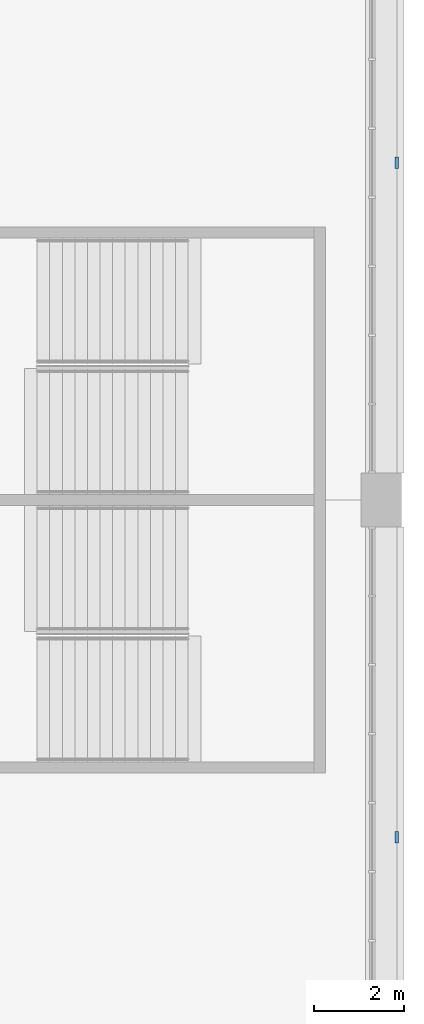
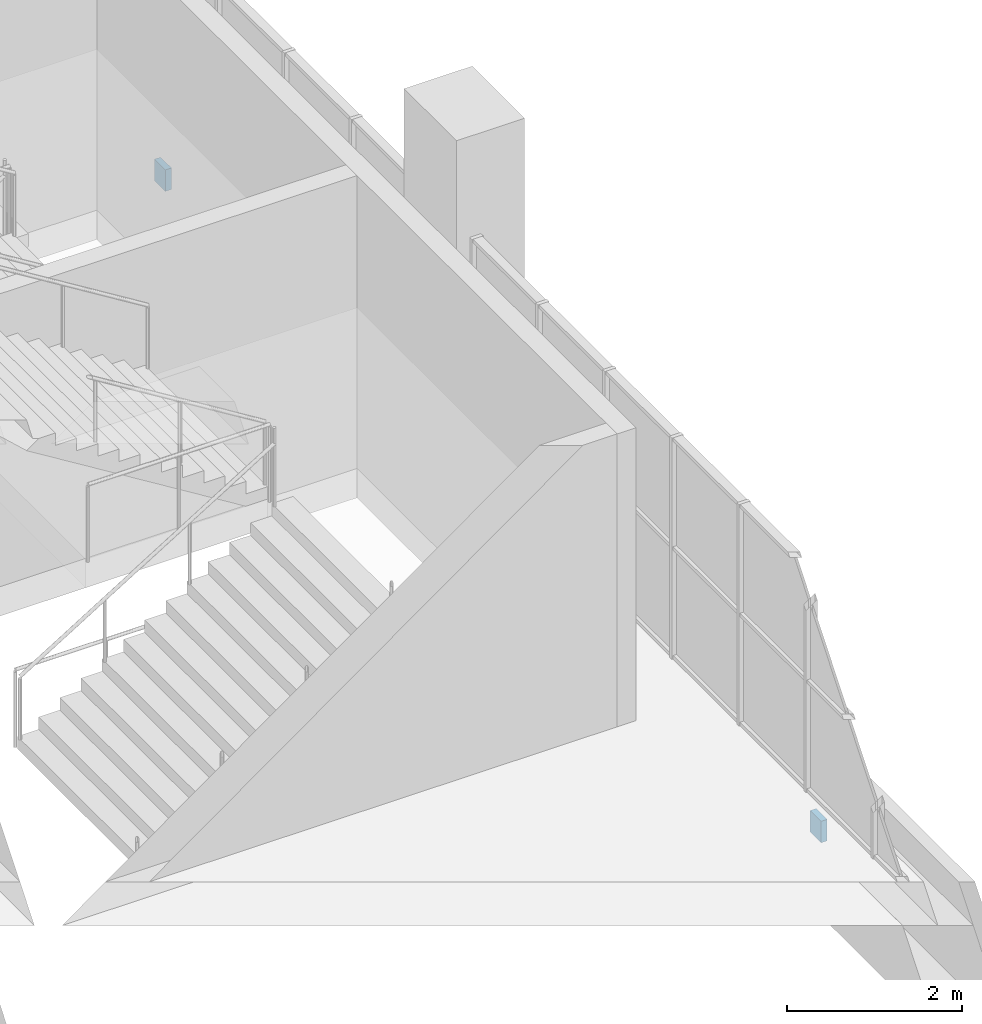
# One storey, part 76 of 177: 2 discrete accessories.
"""IFC4 building model written with IfcOpenShell, lengths in metres."""

from ifc_helpers import new_model, si_unit, direction, frame, origin, origin_2d, place, context, subcontext, project, spatial, rectangle, extrude, material, layer, layer_set, type_object, element, save


model = new_model("IFC4")

# Units and contexts
model_context = context("Model", 3, precision=1e-05, world=origin(), true_north=direction((0.0, 1.0)))
body_context = subcontext(model_context, "Body", "Model", "MODEL_VIEW")
ifc_project = project(units=[si_unit("LENGTHUNIT", "METRE"), si_unit("AREAUNIT", "SQUARE_METRE"), si_unit("VOLUMEUNIT", "CUBIC_METRE"), si_unit("PLANEANGLEUNIT", "RADIAN"), si_unit("MASSUNIT", "GRAM", prefix="KILO")], contexts=[model_context])

# Site, building, storey
site_placement = place(None, origin())
site = spatial("IfcSite", under=ifc_project, at=site_placement, CompositionType="ELEMENT")
building_placement = place(site_placement, origin())
building = spatial("IfcBuilding", under=site, at=building_placement, Name="Ogive Plaza Stadium", CompositionType="ELEMENT")
storey_placement = place(building_placement, frame((0.0, 0.0, 18.0)))
storey = spatial("IfcBuildingStorey", under=building, at=storey_placement, Name="L04", CompositionType="ELEMENT", Elevation=18.0)

# Discrete accessories
ifc_material = material(Name="Steel ASTM A572 Grade 50", Category="steel")
ifc_layer = layer(ifc_material, 0.080078125)
ifc_layer_set = layer_set([ifc_layer], Name="Steel ASTM A572 Grade 50")
discrete_accessory_type = type_object("IfcDiscreteAccessoryType", Name="Spandrel cladding bracket 250x300", PredefinedType="BRACKET", material=ifc_layer_set)
for number, where, z_axis, x_axis, name in (
    (1, (84.35009765625, 15.0, -1.31005859375), (0.0, 0.0, 1.0), (0.0, -1.0, 0.0), "SPANDREL BRACKET B03 L04"),
    (2, (84.35009765625, 0.0, -1.31005859375), (0.0, 0.0, 1.0), (0.0, -1.0, 0.0), "SPANDREL BRACKET B04 L04"),
):
    element("IfcDiscreteAccessory", number, at=place(storey_placement, frame(where, z_axis=z_axis, x_axis=x_axis)), inside=storey, type_object=discrete_accessory_type, Name=name, PredefinedType="BRACKET", context=body_context, shape_type="SweptSolid", body=[
        extrude(rectangle(XDim=0.25, YDim=0.080078125, at=origin_2d()), origin(), (0.0, 0.0, 1.0), 0.300048828125),
    ])

save(model, "model.ifc")
